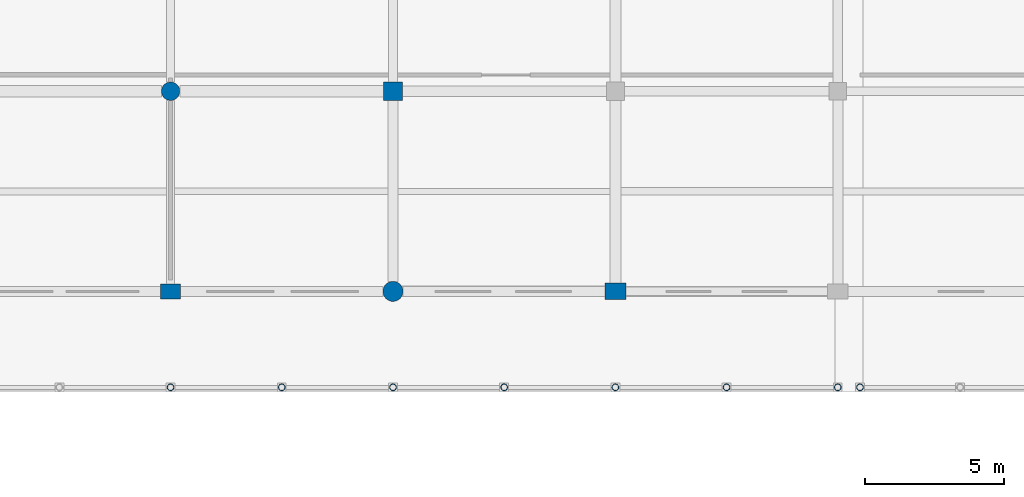
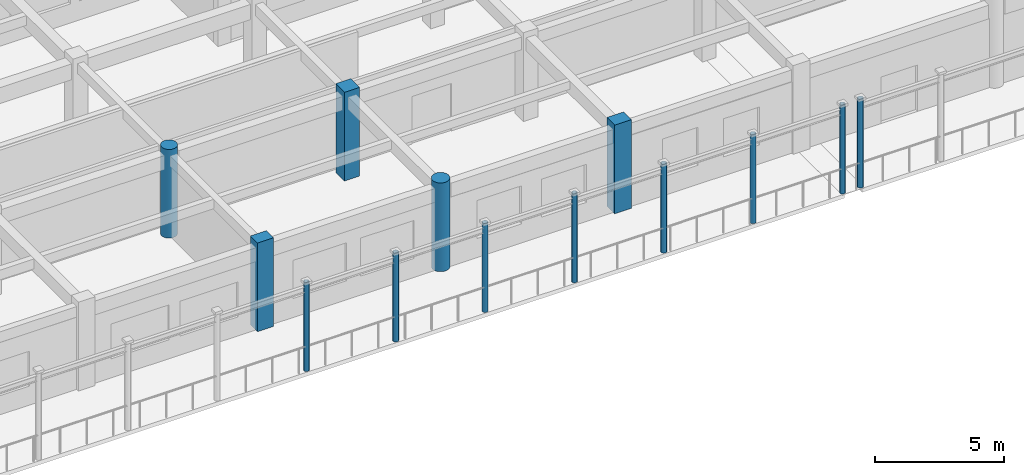
# One storey, part 20 of 195: 13 columns.
"""IFC4 building model written with IfcOpenShell, lengths in metres."""

from ifc_helpers import new_model, si_unit, direction, frame, origin, origin_2d, place, context, subcontext, project, spatial, rectangle, circle, hollow_circle, extrude, material, material_profile, profile_set, type_object, element, save


model = new_model("IFC4")

# Units and contexts
model_context = context("Model", 3, precision=1e-05, world=origin(), true_north=direction((0.0, 1.0)))
body_context = subcontext(model_context, "Body", "Model", "MODEL_VIEW")
ifc_project = project(units=[si_unit("LENGTHUNIT", "METRE"), si_unit("AREAUNIT", "SQUARE_METRE"), si_unit("VOLUMEUNIT", "CUBIC_METRE"), si_unit("PLANEANGLEUNIT", "RADIAN"), si_unit("MASSUNIT", "GRAM", prefix="KILO")], contexts=[model_context])

# Site, building, storey
site_placement = place(None, origin())
site = spatial("IfcSite", under=ifc_project, at=site_placement, CompositionType="ELEMENT")
building_placement = place(site_placement, origin())
building = spatial("IfcBuilding", under=site, at=building_placement, Name="Kharva Crest Polytechnic", CompositionType="ELEMENT")
storey_placement = place(building_placement, frame((0.0, 0.0, 9.0)))
storey = spatial("IfcBuildingStorey", under=building, at=storey_placement, Name="L02", CompositionType="ELEMENT", Elevation=9.0)

# Columns
ifc_material_1 = material(Name="Concrete C40/50", Category="concrete")
ifc_material_profile_1 = material_profile(ifc_material_1, rectangle(XDim=0.719970703125, YDim=0.550048828125, at=origin_2d()), Name="RECT 720 X 550")
ifc_profile_set_1 = profile_set([ifc_material_profile_1], Name="Concrete C40/50")
column_type_1 = type_object("IfcColumnType", Name="COL-EXT-720X550", PredefinedType="COLUMN", material=ifc_profile_set_1)
column_1_placement = place(storey_placement, frame((96.0, 100.39990234375, 0.0), z_axis=(0.0, 0.0, 1.0), x_axis=(1.0, 0.0, 0.0)))
element("IfcColumn", 1, at=column_1_placement, inside=storey, type_object=column_type_1, Name="L02 Column 13/P", PredefinedType="COLUMN", context=body_context, shape_type="SweptSolid", body=[
    extrude(rectangle(XDim=0.719970703125, YDim=0.550048828125, at=origin_2d()), origin(), (0.0, 0.0, 1.0), 4.199951171875),
])
ifc_material_profile_2 = material_profile(ifc_material_1, rectangle(XDim=0.75, YDim=0.60009765625, at=origin_2d()), Name="RECT 750 X 600")
ifc_profile_set_2 = profile_set([ifc_material_profile_2], Name="Concrete C40/50")
column_type_2 = type_object("IfcColumnType", Name="COL-EXT-750X600", PredefinedType="COLUMN", material=ifc_profile_set_2)
column_2_placement = place(storey_placement, frame((112.0, 100.39990234375, 0.0), z_axis=(0.0, 0.0, 1.0), x_axis=(1.0, 0.0, 0.0)))
element("IfcColumn", 2, at=column_2_placement, inside=storey, type_object=column_type_2, Name="L02 Column 15/P", PredefinedType="COLUMN", context=body_context, shape_type="SweptSolid", body=[
    extrude(rectangle(XDim=0.75, YDim=0.60009765625, at=origin_2d()), origin(), (0.0, 0.0, 1.0), 4.199951171875),
])
ifc_material_profile_3 = material_profile(ifc_material_1, circle(Radius=0.360107421875, at=origin_2d()), Name="DIA 720")
ifc_profile_set_3 = profile_set([ifc_material_profile_3], Name="Concrete C40/50")
column_type_3 = type_object("IfcColumnType", Name="COL-EXT-DIA720", PredefinedType="COLUMN", material=ifc_profile_set_3)
column_3_placement = place(storey_placement, frame((104.0, 100.39990234375, 0.0), z_axis=(0.0, 0.0, 1.0), x_axis=(1.0, 0.0, 0.0)))
element("IfcColumn", 3, at=column_3_placement, inside=storey, type_object=column_type_3, Name="L02 Column 14/P", PredefinedType="COLUMN", context=body_context, shape_type="SweptSolid", body=[
    extrude(circle(Radius=0.360107421875, at=origin_2d()), origin(), (0.0, 0.0, 1.0), 4.199951171875),
])
ifc_material_profile_4 = material_profile(ifc_material_1, rectangle(XDim=0.679931640625, YDim=0.679931640625, at=origin_2d()), Name="RECT 680 X 680")
ifc_profile_set_4 = profile_set([ifc_material_profile_4], Name="Concrete C40/50")
column_type_4 = type_object("IfcColumnType", Name="COL-INT-680X680", PredefinedType="COLUMN", material=ifc_profile_set_4)
column_4_placement = place(storey_placement, frame((104.0, 107.60009765625, 0.0), z_axis=(0.0, 0.0, 1.0), x_axis=(1.0, 0.0, 0.0)))
element("IfcColumn", 4, at=column_4_placement, inside=storey, type_object=column_type_4, Name="L02 Column 14/Q", PredefinedType="COLUMN", context=body_context, shape_type="SweptSolid", body=[
    extrude(rectangle(XDim=0.679931640625, YDim=0.679931640625, at=origin_2d()), origin(), (0.0, 0.0, 1.0), 4.199951171875),
])
ifc_material_profile_5 = material_profile(ifc_material_1, circle(Radius=0.330078125, at=origin_2d()), Name="DIA 660")
ifc_profile_set_5 = profile_set([ifc_material_profile_5], Name="Concrete C40/50")
column_type_5 = type_object("IfcColumnType", Name="COL-INT-DIA660", PredefinedType="COLUMN", material=ifc_profile_set_5)
column_5_placement = place(storey_placement, frame((96.0, 107.60009765625, 0.0), z_axis=(0.0, 0.0, 1.0), x_axis=(1.0, 0.0, 0.0)))
element("IfcColumn", 5, at=column_5_placement, inside=storey, type_object=column_type_5, Name="L02 Column 13/Q", PredefinedType="COLUMN", context=body_context, shape_type="SweptSolid", body=[
    extrude(circle(Radius=0.330078125, at=origin_2d()), origin(), (0.0, 0.0, 1.0), 4.199951171875),
])
ifc_material_2 = material(Name="Steel S355", Category="steel")
ifc_material_profile_6 = material_profile(ifc_material_2, hollow_circle(Radius=0.122314453125, WallThickness=0.010009765625, at=origin_2d()), Name="CHS 244.5X10.0")
ifc_profile_set_6 = profile_set([ifc_material_profile_6], Name="Steel S355")
column_type_6 = type_object("IfcColumnType", Name="COL-STL-CHS244", PredefinedType="COLUMN", material=ifc_profile_set_6)
for number, where, z_axis, x_axis, name in (
    (6, (96.0, 96.949951171875, 0.0), (0.0, 0.0, 1.0), (1.0, 0.0, 0.0), "L02 Colonnade Column VN06"),
    (7, (104.0, 96.949951171875, 0.0), (0.0, 0.0, 1.0), (1.0, 0.0, 0.0), "L02 Colonnade Column VN07"),
    (8, (112.0, 96.949951171875, 0.0), (0.0, 0.0, 1.0), (1.0, 0.0, 0.0), "L02 Colonnade Column VN08"),
    (9, (120.0, 96.949951171875, 0.0), (0.0, 0.0, 1.0), (1.0, 0.0, 0.0), "L02 Colonnade Column VN09"),
    (10, (120.800048828125, 96.949951171875, 0.0), (0.0, 0.0, 1.0), (1.0, 0.0, 0.0), "L02 Colonnade Column VN10"),
    (11, (100.0, 96.949951171875, 0.0), (0.0, 0.0, 1.0), (1.0, 0.0, 0.0), "L02 Colonnade Mid Column VNM06"),
    (12, (108.0, 96.949951171875, 0.0), (0.0, 0.0, 1.0), (1.0, 0.0, 0.0), "L02 Colonnade Mid Column VNM07"),
    (13, (116.0, 96.949951171875, 0.0), (0.0, 0.0, 1.0), (1.0, 0.0, 0.0), "L02 Colonnade Mid Column VNM08"),
):
    element("IfcColumn", number, at=place(storey_placement, frame(where, z_axis=z_axis, x_axis=x_axis)), inside=storey, type_object=column_type_6, Name=name, PredefinedType="COLUMN", context=body_context, shape_type="SweptSolid", body=[
        extrude(hollow_circle(Radius=0.122314453125, WallThickness=0.010009765625, at=origin_2d()), origin(), (0.0, 0.0, 1.0), 4.199951171875),
    ])

save(model, "model.ifc")
